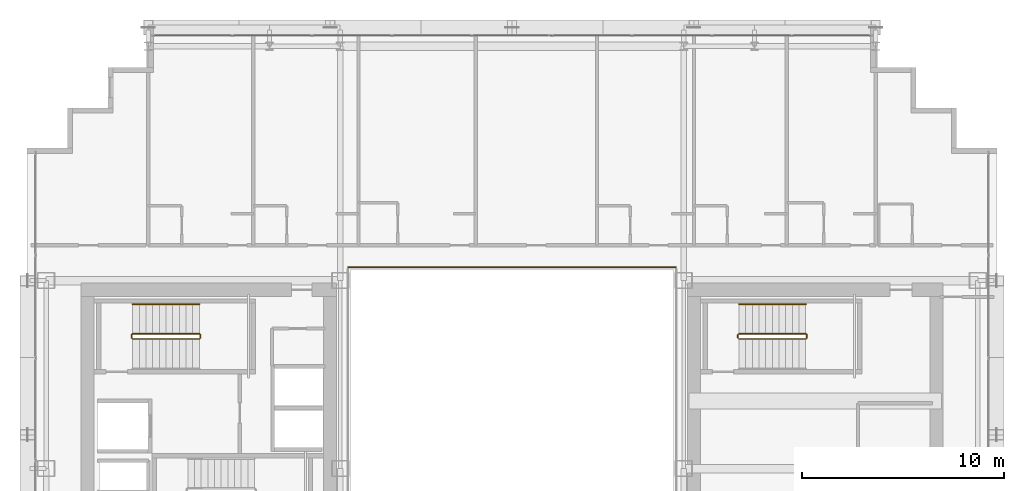
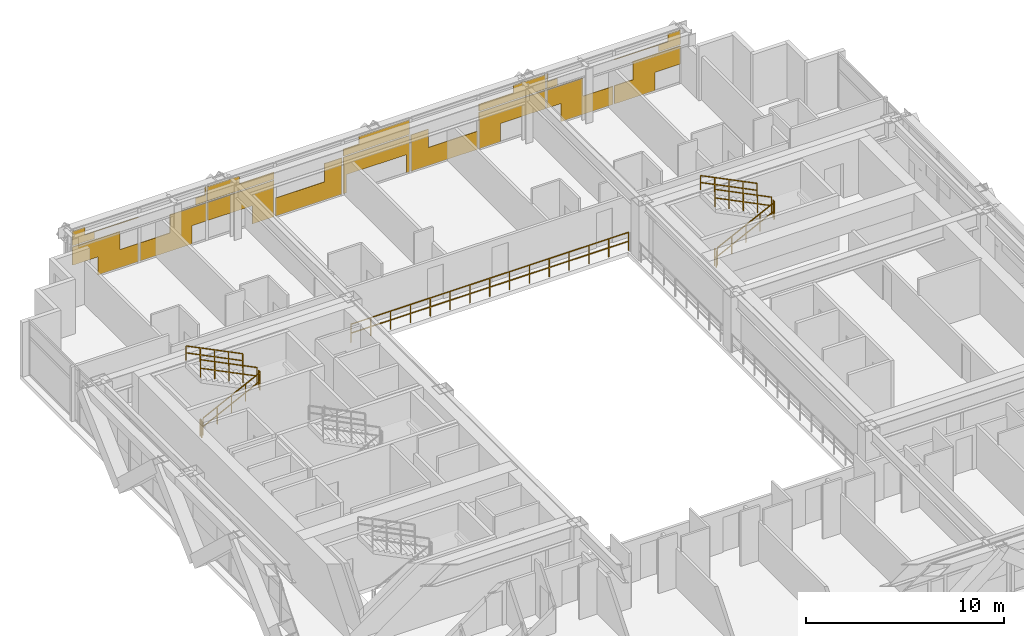
# One storey, part 35 of 35: 11 railings, 1 covering.
"""IFC4 building model written with IfcOpenShell, lengths in metres."""

import ifcopenshell
import ifcopenshell.guid

model = None  # the IFC model being written
_history = None  # IfcOwnerHistory: only IFC2X3 demands one
_inside = {}  # id of a spatial element -> (the spatial element, [elements in it])
_under = {}  # id of a project, library or spatial element -> (it, [spatial elements below it])
_declared = {}  # id of a project -> (the project, [libraries it declares])
_typed = {}  # id of a type object -> (the type object, [elements of that type])
_made_of = {}  # id of a material, layer set ... -> (it, [elements and type objects made of it])


def new_model(schema):
    """Start an empty IFC model of exactly this schema.

    Asked for "IFC4X3", IfcOpenShell would pick the latest addendum, in which some entities
    have other attributes; the version numbers below select the first issue.
    IFC2X3 requires an IfcOwnerHistory on every rooted entity: one is made here for all.
    """
    global model, _history
    if schema == "IFC4X3":
        model = ifcopenshell.file(schema_version=(4, 3, 0, 0))
    else:
        model = ifcopenshell.file(schema=schema)
    _inside.clear()
    _under.clear()
    _declared.clear()
    _typed.clear()
    _made_of.clear()
    _history = None
    if model.schema == "IFC2X3":
        org = make("IfcOrganization", Name="unknown")
        user = make(
            "IfcPersonAndOrganization",
            ThePerson=make("IfcPerson", FamilyName="unknown"),
            TheOrganization=org,
        )
        app = make(
            "IfcApplication",
            ApplicationDeveloper=org,
            Version="unknown",
            ApplicationFullName="unknown",
            ApplicationIdentifier="unknown",
        )
        _history = make(
            "IfcOwnerHistory",
            OwningUser=user,
            OwningApplication=app,
            ChangeAction="ADDED",
            CreationDate=0,
        )
    return model


def make(cls, **values):
    """One entity of the class cls with the attributes given. An attribute that is None is left unset."""
    return model.create_entity(
        cls, **{name: value for name, value in values.items() if value is not None}
    )


def rooted(cls, **values):
    """An entity with a GlobalId (a new one), such as an element, a storey or a relation."""
    return make(cls, GlobalId=ifcopenshell.guid.new(), OwnerHistory=_history, **values)


def si_unit(unit_type, name, prefix=None):
    """IfcSIUnit, for example si_unit("LENGTHUNIT", "METRE", prefix="MILLI")."""
    return make("IfcSIUnit", UnitType=unit_type, Prefix=prefix, Name=name)


def assignment(units):
    """IfcUnitAssignment: the units of a project."""
    return None if units is None else make("IfcUnitAssignment", Units=units)


def point(xyz):
    """IfcCartesianPoint."""
    return None if xyz is None else make("IfcCartesianPoint", Coordinates=xyz)


def direction(xyz):
    """IfcDirection."""
    return None if xyz is None else make("IfcDirection", DirectionRatios=xyz)


def frame(location, z_axis=None, x_axis=None):
    """IfcAxis2Placement3D, a coordinate frame: its origin and axes. An axis left out is left unset."""
    return make(
        "IfcAxis2Placement3D",
        Location=point(location),
        Axis=direction(z_axis),
        RefDirection=direction(x_axis),
    )


def frame_2d(location, x_axis=None):
    """IfcAxis2Placement2D, a coordinate frame in the plane: its origin and x axis."""
    return make(
        "IfcAxis2Placement2D", Location=point(location), RefDirection=direction(x_axis)
    )


def origin():
    """The frame at (0, 0, 0) with its axes left unset."""
    return frame((0.0, 0.0, 0.0))


def origin_2d():
    """The frame at (0, 0) in the plane with its x axis left unset."""
    return frame_2d((0.0, 0.0))


def place(relative_to, where):
    """IfcLocalPlacement: puts the frame where relative to a parent placement (None: the world)."""
    return make(
        "IfcLocalPlacement", PlacementRelTo=relative_to, RelativePlacement=where
    )


def context(
    kind, dimensions, precision=None, world=None, true_north=None, identifier=None
):
    """IfcGeometricRepresentationContext, for example the 3D "Model" context."""
    return make(
        "IfcGeometricRepresentationContext",
        ContextIdentifier=identifier,
        ContextType=kind,
        CoordinateSpaceDimension=dimensions,
        Precision=precision,
        WorldCoordinateSystem=world,
        TrueNorth=true_north,
    )


def subcontext(parent, identifier, kind, view, scale=None):
    """IfcGeometricRepresentationSubContext, for example "Body" below "Model"."""
    return make(
        "IfcGeometricRepresentationSubContext",
        ContextIdentifier=identifier,
        ContextType=kind,
        ParentContext=parent,
        TargetScale=scale,
        TargetView=view,
    )


def project(units=None, contexts=None):
    """IfcProject with its units and contexts."""
    return rooted(
        "IfcProject",
        Name="project",
        RepresentationContexts=contexts,
        UnitsInContext=assignment(units),
    )


def spatial(cls, under=None, at=None, **own):
    """A site, building, storey or space (cls), placed at a placement, below another one or the project."""
    s = rooted(cls, ObjectPlacement=at, **own)
    if under is not None:
        _under.setdefault(under.id(), (under, []))[1].append(s)
    return s


def profile(cls, at=None, kind="AREA", **sizes):
    """A parametric profile (cls). Its sizes go by their IFC names, for example OverallWidth=200.0."""
    return make(cls, ProfileType=kind, Position=at, **sizes)


def rectangle(**sizes):
    """IfcRectangleProfileDef."""
    return profile("IfcRectangleProfileDef", **sizes)


def extrude(swept, where, along, depth):
    """IfcExtrudedAreaSolid: the profile swept, set in the frame where, extruded along a direction by depth."""
    return make(
        "IfcExtrudedAreaSolid",
        SweptArea=swept,
        Position=where,
        ExtrudedDirection=direction(along),
        Depth=depth,
    )


def shape(context_of_items, identifier, shape_type, items):
    """IfcShapeRepresentation: the items that make up one representation, for example the "Body"."""
    return make(
        "IfcShapeRepresentation",
        ContextOfItems=context_of_items,
        RepresentationIdentifier=identifier,
        RepresentationType=shape_type,
        Items=items,
    )


def material(Name=None, Category=None):
    """IfcMaterial."""
    return make("IfcMaterial", Name=Name, Category=Category)


def layer(
    of_material, thickness, ventilated=None, Name=None, Category=None, Priority=None
):
    """IfcMaterialLayer: one layer of a wall or slab, of a material (None: an air gap)."""
    return make(
        "IfcMaterialLayer",
        Material=of_material,
        LayerThickness=thickness,
        IsVentilated=ventilated,
        Name=Name,
        Category=Category,
        Priority=Priority,
    )


def layer_set(layers, Name=None):
    """IfcMaterialLayerSet."""
    return make("IfcMaterialLayerSet", MaterialLayers=layers, LayerSetName=Name)


def made_of(thing, what):
    """Note that an element or type object is made of a material, layer set ...; save() writes the relation."""
    if what is not None:
        _made_of.setdefault(what.id(), (what, []))[1].append(thing)
    return thing


def type_object(cls, material=None, **own):
    """A type object (cls), such as IfcWallType, which elements share."""
    return made_of(rooted(cls, **own), material)


def element(
    cls,
    number,
    at=None,
    inside=None,
    cuts=None,
    type_object=None,
    material=None,
    context=None,
    identifier="Body",
    shape_type=None,
    held_by="IfcProductDefinitionShape",
    body=None,
    shapes=None,
    **own,
):
    """One element of the class cls, such as IfcWall. Its Tag is "e" and its number.

    at: its placement. inside: the storey or other place that contains it. cuts: it is an
    opening in that element (IfcRelVoidsElement). A single representation is given by context,
    identifier, shape_type and body (its items); several are given by shapes. held_by: the class
    of the entity that holds the representations. save() writes the other relations.
    """
    e = rooted(cls, Tag="e%d" % number, ObjectPlacement=at, **own)
    if body is not None:
        shapes = [shape(context, identifier, shape_type, body)]
    if shapes is not None:
        e.Representation = make(held_by, Representations=shapes)
    if inside is not None:
        _inside.setdefault(inside.id(), (inside, []))[1].append(e)
    if cuts is not None:
        rooted(
            "IfcRelVoidsElement", RelatingBuildingElement=cuts, RelatedOpeningElement=e
        )
    if type_object is not None:
        _typed.setdefault(type_object.id(), (type_object, []))[1].append(e)
    return made_of(e, material)


def aggregate(whole, parts):
    """IfcRelAggregates: a whole, such as a stair, and the parts it consists of."""
    return rooted("IfcRelAggregates", RelatingObject=whole, RelatedObjects=parts)


def save(model, path):
    """Write the relations noted so far, then the file.

    IfcRelAggregates (storeys below a building ...), IfcRelContainedInSpatialStructure (elements
    in a storey), IfcRelDefinesByType, IfcRelAssociatesMaterial and IfcRelDeclares: one each for
    every whole, place, type object, material and project.
    """
    for whole, parts in _under.values():
        aggregate(whole, parts)
    for where, things in _inside.values():
        rooted(
            "IfcRelContainedInSpatialStructure",
            RelatedElements=things,
            RelatingStructure=where,
        )
    for kind, things in _typed.values():
        rooted("IfcRelDefinesByType", RelatedObjects=things, RelatingType=kind)
    for what, things in _made_of.values():
        rooted("IfcRelAssociatesMaterial", RelatedObjects=things, RelatingMaterial=what)
    for by, libraries in _declared.values():
        rooted("IfcRelDeclares", RelatingContext=by, RelatedDefinitions=libraries)
    model.write(path)


model = new_model("IFC4")

# Units and contexts
model_context = context("Model", 3, precision=1e-05, world=origin(), true_north=direction((0.0, 1.0)))
body_context = subcontext(model_context, "Body", "Model", "MODEL_VIEW")
ifc_project = project(units=[si_unit("LENGTHUNIT", "METRE"), si_unit("AREAUNIT", "SQUARE_METRE"), si_unit("VOLUMEUNIT", "CUBIC_METRE"), si_unit("PLANEANGLEUNIT", "RADIAN"), si_unit("MASSUNIT", "GRAM", prefix="KILO")], contexts=[model_context])

# Site, building, storey
site_placement = place(None, origin())
site = spatial("IfcSite", under=ifc_project, at=site_placement, CompositionType="ELEMENT")
building_placement = place(site_placement, origin())
building = spatial("IfcBuilding", under=site, at=building_placement, Name="Ocotamira Hotel", CompositionType="ELEMENT")
storey_placement = place(building_placement, frame((0.0, 0.0, 100.800048828125)))
storey = spatial("IfcBuildingStorey", under=building, at=storey_placement, Name="L24", CompositionType="ELEMENT", Elevation=100.800048828125)

# Covering
ifc_material_1 = material(Name="Insulated pale-metal aluminium spandrel panel", Category="aluminium")
ifc_layer = layer(ifc_material_1, 0.044921875)
ifc_layer_set = layer_set([ifc_layer], Name="Insulated pale-metal aluminium spandrel panel")
covering_type = type_object("IfcCoveringType", Name="COV-INFILL-45", PredefinedType="CLADDING", material=ifc_layer_set)
covering_placement = place(storey_placement, origin())
element("IfcCovering", 1, at=covering_placement, inside=storey, type_object=covering_type, Name="L24 Curtain Wall Infill CW-3 CW-L24-N", PredefinedType="CLADDING", context=body_context, shape_type="SweptSolid", body=[
    extrude(rectangle(XDim=2.754638671875, YDim=0.044921875, at=origin_2d()), frame((15.65771484375, 49.580078125, 1.194091796875), z_axis=(0.0, 0.0, 1.0), x_axis=(1.0, 0.0, 0.0)), (0.0, 0.0, 1.0), 1.11767578125),
    extrude(rectangle(XDim=2.359619140625, YDim=0.044921875, at=origin_2d()), frame((16.935302734375, 49.580078125, 0.0751953125), z_axis=(0.0, 0.0, 1.0), x_axis=(1.0, 0.0, 0.0)), (0.0, 0.0, 1.0), 1.117919921875),
    extrude(rectangle(XDim=1.262451171875, YDim=0.044921875, at=origin_2d()), frame((14.91162109375, 49.580078125, 2.387939453125), z_axis=(0.0, 0.0, 1.0), x_axis=(1.0, 0.0, 0.0)), (0.0, 0.0, 1.0), 0.3935546875),
    extrude(rectangle(XDim=3.834716796875, YDim=0.044921875, at=origin_2d()), frame((16.19775390625, 49.580078125, 2.782470703125), z_axis=(0.0, 0.0, 1.0), x_axis=(1.0, 0.0, 0.0)), (0.0, 0.0, 1.0), 0.0302734375),
    extrude(rectangle(XDim=0.730224609375, YDim=0.044921875, at=origin_2d()), frame((14.6455078125, 49.580078125, 2.813720703125), z_axis=(0.0, 0.0, 1.0), x_axis=(1.0, 0.0, 0.0)), (0.0, 0.0, 1.0), 0.470703125),
    extrude(rectangle(XDim=3.04833984375, YDim=0.044921875, at=origin_2d()), frame((19.72021484375, 49.580078125, 0.0751953125), z_axis=(0.0, 0.0, 1.0), x_axis=(1.0, 0.0, 0.0)), (0.0, 0.0, 1.0), 1.117919921875),
    extrude(rectangle(XDim=2.105712890625, YDim=0.044921875, at=origin_2d()), frame((21.017578125, 49.580078125, 1.194091796875), z_axis=(0.0, 0.0, 1.0), x_axis=(1.0, 0.0, 0.0)), (0.0, 0.0, 1.0), 1.11767578125),
    extrude(rectangle(XDim=0.613525390625, YDim=0.044921875, at=origin_2d()), frame((21.763916015625, 49.580078125, 2.387939453125), z_axis=(0.0, 0.0, 1.0), x_axis=(1.0, 0.0, 0.0)), (0.0, 0.0, 1.0), 0.4248046875),
    extrude(rectangle(XDim=0.081298828125, YDim=0.044921875, at=origin_2d()), frame((22.02978515625, 49.580078125, 2.813720703125), z_axis=(0.0, 0.0, 1.0), x_axis=(1.0, 0.0, 0.0)), (0.0, 0.0, 1.0), 0.470703125),
    extrude(rectangle(XDim=3.87451171875, YDim=0.044921875, at=origin_2d()), frame((24.0888671875, 49.580078125, 1.194091796875), z_axis=(0.0, 0.0, 1.0), x_axis=(1.0, 0.0, 0.0)), (0.0, 0.0, 1.0), 1.11767578125),
    extrude(rectangle(XDim=1.270751953125, YDim=0.044921875, at=origin_2d()), frame((25.390869140625, 49.580078125, 0.0751953125), z_axis=(0.0, 0.0, 1.0), x_axis=(1.0, 0.0, 0.0)), (0.0, 0.0, 1.0), 1.117919921875),
    extrude(rectangle(XDim=3.87451171875, YDim=0.044921875, at=origin_2d()), frame((24.0888671875, 49.580078125, 2.387939453125), z_axis=(0.0, 0.0, 1.0), x_axis=(1.0, 0.0, 0.0)), (0.0, 0.0, 1.0), 0.4248046875),
    extrude(rectangle(XDim=1.859130859375, YDim=0.044921875, at=origin_2d()), frame((23.081298828125, 49.580078125, 2.813720703125), z_axis=(0.0, 0.0, 1.0), x_axis=(1.0, 0.0, 0.0)), (0.0, 0.0, 1.0), 0.470703125),
    extrude(rectangle(XDim=3.87451171875, YDim=0.044921875, at=origin_2d()), frame((28.04443359375, 49.580078125, 0.0751953125), z_axis=(0.0, 0.0, 1.0), x_axis=(1.0, 0.0, 0.0)), (0.0, 0.0, 1.0), 1.117919921875),
    extrude(rectangle(XDim=1.016845703125, YDim=0.044921875, at=origin_2d()), frame((29.473388671875, 49.580078125, 1.194091796875), z_axis=(0.0, 0.0, 1.0), x_axis=(1.0, 0.0, 0.0)), (0.0, 0.0, 1.0), 1.11767578125),
    extrude(rectangle(XDim=0.181884765625, YDim=0.044921875, at=origin_2d()), frame((30.153564453125, 49.580078125, 0.0751953125), z_axis=(0.0, 0.0, 1.0), x_axis=(1.0, 0.0, 0.0)), (0.0, 0.0, 1.0), 1.117919921875),
    extrude(rectangle(XDim=3.87451171875, YDim=0.044921875, at=origin_2d()), frame((32.0, 49.580078125, 1.194091796875), z_axis=(0.0, 0.0, 1.0), x_axis=(1.0, 0.0, 0.0)), (0.0, 0.0, 1.0), 1.11767578125),
    extrude(rectangle(XDim=0.181884765625, YDim=0.044921875, at=origin_2d()), frame((33.846435546875, 49.580078125, 0.0751953125), z_axis=(0.0, 0.0, 1.0), x_axis=(1.0, 0.0, 0.0)), (0.0, 0.0, 1.0), 1.117919921875),
    extrude(rectangle(XDim=3.87451171875, YDim=0.044921875, at=origin_2d()), frame((32.0, 49.580078125, 2.387939453125), z_axis=(0.0, 0.0, 1.0), x_axis=(1.0, 0.0, 0.0)), (0.0, 0.0, 1.0), 0.4248046875),
    extrude(rectangle(XDim=2.947998046875, YDim=0.044921875, at=origin_2d()), frame((32.46337890625, 49.580078125, 2.813720703125), z_axis=(0.0, 0.0, 1.0), x_axis=(1.0, 0.0, 0.0)), (0.0, 0.0, 1.0), 0.470703125),
    extrude(rectangle(XDim=3.87451171875, YDim=0.044921875, at=origin_2d()), frame((35.95556640625, 49.580078125, 0.0751953125), z_axis=(0.0, 0.0, 1.0), x_axis=(1.0, 0.0, 0.0)), (0.0, 0.0, 1.0), 1.117919921875),
    extrude(rectangle(XDim=1.016845703125, YDim=0.044921875, at=origin_2d()), frame((34.526611328125, 49.580078125, 1.194091796875), z_axis=(0.0, 0.0, 1.0), x_axis=(1.0, 0.0, 0.0)), (0.0, 0.0, 1.0), 1.11767578125),
    extrude(rectangle(XDim=1.270751953125, YDim=0.044921875, at=origin_2d()), frame((38.609130859375, 49.580078125, 0.0751953125), z_axis=(0.0, 0.0, 1.0), x_axis=(1.0, 0.0, 0.0)), (0.0, 0.0, 1.0), 1.117919921875),
    extrude(rectangle(XDim=3.87451171875, YDim=0.044921875, at=origin_2d()), frame((39.9111328125, 49.580078125, 1.194091796875), z_axis=(0.0, 0.0, 1.0), x_axis=(1.0, 0.0, 0.0)), (0.0, 0.0, 1.0), 1.11767578125),
    extrude(rectangle(XDim=3.87451171875, YDim=0.044921875, at=origin_2d()), frame((39.9111328125, 49.580078125, 2.387939453125), z_axis=(0.0, 0.0, 1.0), x_axis=(1.0, 0.0, 0.0)), (0.0, 0.0, 1.0), 0.4248046875),
    extrude(rectangle(XDim=1.859130859375, YDim=0.044921875, at=origin_2d()), frame((40.918701171875, 49.580078125, 2.813720703125), z_axis=(0.0, 0.0, 1.0), x_axis=(1.0, 0.0, 0.0)), (0.0, 0.0, 1.0), 0.470703125),
    extrude(rectangle(XDim=2.105712890625, YDim=0.044921875, at=origin_2d()), frame((42.982421875, 49.580078125, 1.194091796875), z_axis=(0.0, 0.0, 1.0), x_axis=(1.0, 0.0, 0.0)), (0.0, 0.0, 1.0), 1.11767578125),
    extrude(rectangle(XDim=3.04833984375, YDim=0.044921875, at=origin_2d()), frame((44.27978515625, 49.580078125, 0.0751953125), z_axis=(0.0, 0.0, 1.0), x_axis=(1.0, 0.0, 0.0)), (0.0, 0.0, 1.0), 1.117919921875),
    extrude(rectangle(XDim=0.613525390625, YDim=0.044921875, at=origin_2d()), frame((42.236083984375, 49.580078125, 2.387939453125), z_axis=(0.0, 0.0, 1.0), x_axis=(1.0, 0.0, 0.0)), (0.0, 0.0, 1.0), 0.4248046875),
    extrude(rectangle(XDim=0.081298828125, YDim=0.044921875, at=origin_2d()), frame((41.97021484375, 49.580078125, 2.813720703125), z_axis=(0.0, 0.0, 1.0), x_axis=(1.0, 0.0, 0.0)), (0.0, 0.0, 1.0), 0.470703125),
    extrude(rectangle(XDim=2.359619140625, YDim=0.044921875, at=origin_2d()), frame((47.064697265625, 49.580078125, 0.0751953125), z_axis=(0.0, 0.0, 1.0), x_axis=(1.0, 0.0, 0.0)), (0.0, 0.0, 1.0), 1.117919921875),
    extrude(rectangle(XDim=2.754638671875, YDim=0.044921875, at=origin_2d()), frame((48.34228515625, 49.580078125, 1.194091796875), z_axis=(0.0, 0.0, 1.0), x_axis=(1.0, 0.0, 0.0)), (0.0, 0.0, 1.0), 1.11767578125),
    extrude(rectangle(XDim=3.834716796875, YDim=0.044921875, at=origin_2d()), frame((47.80224609375, 49.580078125, 2.782470703125), z_axis=(0.0, 0.0, 1.0), x_axis=(1.0, 0.0, 0.0)), (0.0, 0.0, 1.0), 0.0302734375),
    extrude(rectangle(XDim=1.262451171875, YDim=0.044921875, at=origin_2d()), frame((49.08837890625, 49.580078125, 2.387939453125), z_axis=(0.0, 0.0, 1.0), x_axis=(1.0, 0.0, 0.0)), (0.0, 0.0, 1.0), 0.3935546875),
    extrude(rectangle(XDim=0.730224609375, YDim=0.044921875, at=origin_2d()), frame((49.3544921875, 49.580078125, 2.813720703125), z_axis=(0.0, 0.0, 1.0), x_axis=(1.0, 0.0, 0.0)), (0.0, 0.0, 1.0), 0.470703125),
])

# Railings
ifc_material_2 = material(Name="Painted steel stair guardrail", Category="steel")
railing_type_1 = type_object("IfcRailingType", Name="RL-EDGE-1150", PredefinedType="GUARDRAIL", material=ifc_material_2)
railing_1_placement = place(storey_placement, frame((40.10009765625, 38.1201171875, 0.0)))
element("IfcRailing", 2, at=railing_1_placement, inside=storey, type_object=railing_type_1, Name="L24 Central Atrium Edge Guardrail N", PredefinedType="GUARDRAIL", context=body_context, shape_type="SweptSolid", body=[
    extrude(rectangle(XDim=0.048095703125, YDim=0.048095703125, at=origin_2d()), frame((0.0, 0.0, 1.1259765625), z_axis=(-1.0, 0.0, 0.0), x_axis=(0.0, -1.0, 0.0)), (0.0, 0.0, 1.0), 16.2001953125),
    extrude(rectangle(XDim=0.048095703125, YDim=0.048095703125, at=origin_2d()), frame((0.0, 0.0, 0.574951171875), z_axis=(-1.0, 0.0, 0.0), x_axis=(0.0, -1.0, 0.0)), (0.0, 0.0, 1.0), 16.2001953125),
    extrude(rectangle(XDim=0.0419921875, YDim=0.0419921875, at=origin_2d()), origin(), (0.0, 0.0, 1.0), 1.101806640625),
    extrude(rectangle(XDim=0.0419921875, YDim=0.0419921875, at=origin_2d()), frame((-1.1572265625, 0.0, 0.0)), (0.0, 0.0, 1.0), 1.101806640625),
    extrude(rectangle(XDim=0.0419921875, YDim=0.0419921875, at=origin_2d()), frame((-2.314208984375, 0.0, 0.0)), (0.0, 0.0, 1.0), 1.101806640625),
    extrude(rectangle(XDim=0.0419921875, YDim=0.0419921875, at=origin_2d()), frame((-3.471435546875, 0.0, 0.0)), (0.0, 0.0, 1.0), 1.101806640625),
    extrude(rectangle(XDim=0.0419921875, YDim=0.0419921875, at=origin_2d()), frame((-4.628662109375, 0.0, 0.0)), (0.0, 0.0, 1.0), 1.101806640625),
    extrude(rectangle(XDim=0.0419921875, YDim=0.0419921875, at=origin_2d()), frame((-5.785888671875, 0.0, 0.0)), (0.0, 0.0, 1.0), 1.101806640625),
    extrude(rectangle(XDim=0.0419921875, YDim=0.0419921875, at=origin_2d()), frame((-6.94287109375, 0.0, 0.0)), (0.0, 0.0, 1.0), 1.101806640625),
    extrude(rectangle(XDim=0.0419921875, YDim=0.0419921875, at=origin_2d()), frame((-8.10009765625, 0.0, 0.0)), (0.0, 0.0, 1.0), 1.101806640625),
    extrude(rectangle(XDim=0.0419921875, YDim=0.0419921875, at=origin_2d()), frame((-9.25732421875, 0.0, 0.0)), (0.0, 0.0, 1.0), 1.101806640625),
    extrude(rectangle(XDim=0.0419921875, YDim=0.0419921875, at=origin_2d()), frame((-10.414306640625, 0.0, 0.0)), (0.0, 0.0, 1.0), 1.101806640625),
    extrude(rectangle(XDim=0.0419921875, YDim=0.0419921875, at=origin_2d()), frame((-11.571533203125, 0.0, 0.0)), (0.0, 0.0, 1.0), 1.101806640625),
    extrude(rectangle(XDim=0.0419921875, YDim=0.0419921875, at=origin_2d()), frame((-12.728759765625, 0.0, 0.0)), (0.0, 0.0, 1.0), 1.101806640625),
    extrude(rectangle(XDim=0.0419921875, YDim=0.0419921875, at=origin_2d()), frame((-13.885986328125, 0.0, 0.0)), (0.0, 0.0, 1.0), 1.101806640625),
    extrude(rectangle(XDim=0.0419921875, YDim=0.0419921875, at=origin_2d()), frame((-15.04296875, 0.0, 0.0)), (0.0, 0.0, 1.0), 1.101806640625),
    extrude(rectangle(XDim=0.0419921875, YDim=0.0419921875, at=origin_2d()), frame((-16.2001953125, 0.0, 0.0)), (0.0, 0.0, 1.0), 1.101806640625),
])
ifc_material_3 = material(Name="Brushed stainless steel handrail", Category="steel")
railing_type_2 = type_object("IfcRailingType", Name="RL-HAND-900", PredefinedType="HANDRAIL", material=ifc_material_3)
for number, where, name in (
    (3, (16.530029296875, 36.280029296875, 2.127197265625), "L24 ST-2 stair handrail 2"),
    (4, (46.530029296875, 36.280029296875, 2.127197265625), "L24 ST-4 stair handrail 2"),
):
    element("IfcRailing", number, at=place(storey_placement, frame(where)), inside=storey, type_object=railing_type_2, Name=name, PredefinedType="HANDRAIL", context=body_context, shape_type="SweptSolid", body=[
        extrude(rectangle(XDim=0.048095703125, YDim=0.048095703125, at=origin_2d()), frame((0.0, 0.0, 0.8759765625), z_axis=(-0.895893744519, 0.0, 0.4442683857), x_axis=(0.0, -1.0, 0.0)), (0.0, 0.0, 1.0), 3.68359375),
        extrude(rectangle(XDim=0.048095703125, YDim=0.048095703125, at=origin_2d()), frame((0.0, 0.0, 0.449951171875), z_axis=(-0.895893744519, 0.0, 0.4442683857), x_axis=(0.0, -1.0, 0.0)), (0.0, 0.0, 1.0), 3.68359375),
        extrude(rectangle(XDim=0.0419921875, YDim=0.0419921875, at=origin_2d()), origin(), (0.0, 0.0, 1.0), 0.851806640625),
        extrude(rectangle(XDim=0.0419921875, YDim=0.0419921875, at=origin_2d()), frame((-0.824951171875, 0.0, 0.4091796875)), (0.0, 0.0, 1.0), 0.851806640625),
        extrude(rectangle(XDim=0.0419921875, YDim=0.0419921875, at=origin_2d()), frame((-1.64990234375, 0.0, 0.818359375)), (0.0, 0.0, 1.0), 0.851806640625),
        extrude(rectangle(XDim=0.0419921875, YDim=0.0419921875, at=origin_2d()), frame((-2.47509765625, 0.0, 1.227294921875)), (0.0, 0.0, 1.0), 0.851806640625),
        extrude(rectangle(XDim=0.0419921875, YDim=0.0419921875, at=origin_2d()), frame((-3.300048828125, 0.0, 1.636474609375)), (0.0, 0.0, 1.0), 0.851806640625),
    ])
railing_type_3 = type_object("IfcRailingType", Name="RL-STAIR-1100", PredefinedType="GUARDRAIL", material=ifc_material_2)
railing_2_placement = place(storey_placement, frame((13.22998046875, 34.56005859375, 0.16357421875)))
element("IfcRailing", 5, at=railing_2_placement, inside=storey, type_object=railing_type_3, Name="L24 ST-2 stair guard 1", PredefinedType="GUARDRAIL", context=body_context, shape_type="SweptSolid", body=[
    extrude(rectangle(XDim=0.048095703125, YDim=0.048095703125, at=origin_2d()), frame((0.0, 0.0, 1.076171875), z_axis=(0.895893744519, 0.0, 0.4442683857), x_axis=(0.0, 1.0, 0.0)), (0.0, 0.0, 1.0), 3.68359375),
    extrude(rectangle(XDim=0.048095703125, YDim=0.048095703125, at=origin_2d()), frame((0.0, 0.0, 0.550048828125), z_axis=(0.895893744519, 0.0, 0.4442683857), x_axis=(0.0, 1.0, 0.0)), (0.0, 0.0, 1.0), 3.68359375),
    extrude(rectangle(XDim=0.0419921875, YDim=0.0419921875, at=origin_2d()), origin(), (0.0, 0.0, 1.0), 1.052001953125),
    extrude(rectangle(XDim=0.0419921875, YDim=0.0419921875, at=origin_2d()), frame((0.824951171875, 0.0, 0.4091796875)), (0.0, 0.0, 1.0), 1.052001953125),
    extrude(rectangle(XDim=0.0419921875, YDim=0.0419921875, at=origin_2d()), frame((1.64990234375, 0.0, 0.818359375)), (0.0, 0.0, 1.0), 1.052001953125),
    extrude(rectangle(XDim=0.0419921875, YDim=0.0419921875, at=origin_2d()), frame((2.47509765625, 0.0, 1.227294921875)), (0.0, 0.0, 1.0), 1.052001953125),
    extrude(rectangle(XDim=0.0419921875, YDim=0.0419921875, at=origin_2d()), frame((3.300048828125, 0.0, 1.636474609375)), (0.0, 0.0, 1.0), 1.052001953125),
])
railing_3_placement = place(storey_placement, frame((16.580078125, 34.610107421875, 1.800048828125)))
element("IfcRailing", 6, at=railing_3_placement, inside=storey, type_object=railing_type_3, Name="L24 ST-2 stair guard 2", PredefinedType="GUARDRAIL", context=body_context, shape_type="SweptSolid", body=[
    extrude(rectangle(XDim=0.048095703125, YDim=0.048095703125, at=origin_2d()), frame((0.0, 0.0, 1.076171875), z_axis=(0.0, 1.0, 0.0), x_axis=(-1.0, 0.0, 0.0)), (0.0, 0.0, 1.0), 0.159912109375),
    extrude(rectangle(XDim=0.048095703125, YDim=0.048095703125, at=origin_2d()), frame((0.0, 0.0, 0.550048828125), z_axis=(0.0, 1.0, 0.0), x_axis=(-1.0, 0.0, 0.0)), (0.0, 0.0, 1.0), 0.159912109375),
    extrude(rectangle(XDim=0.0419921875, YDim=0.0419921875, at=origin_2d()), origin(), (0.0, 0.0, 1.0), 1.052001953125),
    extrude(rectangle(XDim=0.0419921875, YDim=0.0419921875, at=origin_2d()), frame((0.0, 0.159912109375, 0.0)), (0.0, 0.0, 1.0), 1.052001953125),
])
railing_4_placement = place(storey_placement, frame((16.530029296875, 34.820068359375, 1.963623046875)))
element("IfcRailing", 7, at=railing_4_placement, inside=storey, type_object=railing_type_3, Name="L24 ST-2 stair guard 3", PredefinedType="GUARDRAIL", context=body_context, shape_type="SweptSolid", body=[
    extrude(rectangle(XDim=0.048095703125, YDim=0.048095703125, at=origin_2d()), frame((0.0, 0.0, 1.076171875), z_axis=(-0.895920123917, 0.0, 0.444215186098), x_axis=(0.0, -1.0, 0.0)), (0.0, 0.0, 1.0), 3.683349609375),
    extrude(rectangle(XDim=0.048095703125, YDim=0.048095703125, at=origin_2d()), frame((0.0, 0.0, 0.550048828125), z_axis=(-0.895920123917, 0.0, 0.444215186098), x_axis=(0.0, -1.0, 0.0)), (0.0, 0.0, 1.0), 3.683349609375),
    extrude(rectangle(XDim=0.0419921875, YDim=0.0419921875, at=origin_2d()), origin(), (0.0, 0.0, 1.0), 1.052001953125),
    extrude(rectangle(XDim=0.0419921875, YDim=0.0419921875, at=origin_2d()), frame((-0.824951171875, 0.0, 0.4091796875)), (0.0, 0.0, 1.0), 1.052001953125),
    extrude(rectangle(XDim=0.0419921875, YDim=0.0419921875, at=origin_2d()), frame((-1.64990234375, 0.0, 0.818115234375)), (0.0, 0.0, 1.0), 1.052001953125),
    extrude(rectangle(XDim=0.0419921875, YDim=0.0419921875, at=origin_2d()), frame((-2.47509765625, 0.0, 1.22705078125)), (0.0, 0.0, 1.0), 1.052001953125),
    extrude(rectangle(XDim=0.0419921875, YDim=0.0419921875, at=origin_2d()), frame((-3.300048828125, 0.0, 1.63623046875)), (0.0, 0.0, 1.0), 1.052001953125),
])
railing_5_placement = place(storey_placement, frame((13.179931640625, 34.610107421875, 0.0)))
element("IfcRailing", 8, at=railing_5_placement, inside=storey, type_object=railing_type_3, Name="L24 ST-2 stair guard 4", PredefinedType="GUARDRAIL", context=body_context, shape_type="SweptSolid", body=[
    extrude(rectangle(XDim=0.048095703125, YDim=0.048095703125, at=origin_2d()), frame((0.0, 0.0, 1.076171875), z_axis=(0.0, 1.0, 0.0), x_axis=(-1.0, 0.0, 0.0)), (0.0, 0.0, 1.0), 0.159912109375),
    extrude(rectangle(XDim=0.048095703125, YDim=0.048095703125, at=origin_2d()), frame((0.0, 0.0, 0.550048828125), z_axis=(0.0, 1.0, 0.0), x_axis=(-1.0, 0.0, 0.0)), (0.0, 0.0, 1.0), 0.159912109375),
    extrude(rectangle(XDim=0.0419921875, YDim=0.0419921875, at=origin_2d()), origin(), (0.0, 0.0, 1.0), 1.052001953125),
    extrude(rectangle(XDim=0.0419921875, YDim=0.0419921875, at=origin_2d()), frame((0.0, 0.159912109375, 0.0)), (0.0, 0.0, 1.0), 1.052001953125),
])
railing_6_placement = place(storey_placement, frame((43.22998046875, 34.56005859375, 0.16357421875)))
element("IfcRailing", 9, at=railing_6_placement, inside=storey, type_object=railing_type_3, Name="L24 ST-4 stair guard 1", PredefinedType="GUARDRAIL", context=body_context, shape_type="SweptSolid", body=[
    extrude(rectangle(XDim=0.048095703125, YDim=0.048095703125, at=origin_2d()), frame((0.0, 0.0, 1.076171875), z_axis=(0.895893744519, 0.0, 0.4442683857), x_axis=(0.0, 1.0, 0.0)), (0.0, 0.0, 1.0), 3.68359375),
    extrude(rectangle(XDim=0.048095703125, YDim=0.048095703125, at=origin_2d()), frame((0.0, 0.0, 0.550048828125), z_axis=(0.895893744519, 0.0, 0.4442683857), x_axis=(0.0, 1.0, 0.0)), (0.0, 0.0, 1.0), 3.68359375),
    extrude(rectangle(XDim=0.0419921875, YDim=0.0419921875, at=origin_2d()), origin(), (0.0, 0.0, 1.0), 1.052001953125),
    extrude(rectangle(XDim=0.0419921875, YDim=0.0419921875, at=origin_2d()), frame((0.824951171875, 0.0, 0.4091796875)), (0.0, 0.0, 1.0), 1.052001953125),
    extrude(rectangle(XDim=0.0419921875, YDim=0.0419921875, at=origin_2d()), frame((1.64990234375, 0.0, 0.818359375)), (0.0, 0.0, 1.0), 1.052001953125),
    extrude(rectangle(XDim=0.0419921875, YDim=0.0419921875, at=origin_2d()), frame((2.47509765625, 0.0, 1.227294921875)), (0.0, 0.0, 1.0), 1.052001953125),
    extrude(rectangle(XDim=0.0419921875, YDim=0.0419921875, at=origin_2d()), frame((3.300048828125, 0.0, 1.636474609375)), (0.0, 0.0, 1.0), 1.052001953125),
])
railing_7_placement = place(storey_placement, frame((46.580078125, 34.610107421875, 1.800048828125)))
element("IfcRailing", 10, at=railing_7_placement, inside=storey, type_object=railing_type_3, Name="L24 ST-4 stair guard 2", PredefinedType="GUARDRAIL", context=body_context, shape_type="SweptSolid", body=[
    extrude(rectangle(XDim=0.048095703125, YDim=0.048095703125, at=origin_2d()), frame((0.0, 0.0, 1.076171875), z_axis=(0.0, 1.0, 0.0), x_axis=(-1.0, 0.0, 0.0)), (0.0, 0.0, 1.0), 0.159912109375),
    extrude(rectangle(XDim=0.048095703125, YDim=0.048095703125, at=origin_2d()), frame((0.0, 0.0, 0.550048828125), z_axis=(0.0, 1.0, 0.0), x_axis=(-1.0, 0.0, 0.0)), (0.0, 0.0, 1.0), 0.159912109375),
    extrude(rectangle(XDim=0.0419921875, YDim=0.0419921875, at=origin_2d()), origin(), (0.0, 0.0, 1.0), 1.052001953125),
    extrude(rectangle(XDim=0.0419921875, YDim=0.0419921875, at=origin_2d()), frame((0.0, 0.159912109375, 0.0)), (0.0, 0.0, 1.0), 1.052001953125),
])
railing_8_placement = place(storey_placement, frame((46.530029296875, 34.820068359375, 1.963623046875)))
element("IfcRailing", 11, at=railing_8_placement, inside=storey, type_object=railing_type_3, Name="L24 ST-4 stair guard 3", PredefinedType="GUARDRAIL", context=body_context, shape_type="SweptSolid", body=[
    extrude(rectangle(XDim=0.048095703125, YDim=0.048095703125, at=origin_2d()), frame((0.0, 0.0, 1.076171875), z_axis=(-0.895920123917, 0.0, 0.444215186098), x_axis=(0.0, -1.0, 0.0)), (0.0, 0.0, 1.0), 3.683349609375),
    extrude(rectangle(XDim=0.048095703125, YDim=0.048095703125, at=origin_2d()), frame((0.0, 0.0, 0.550048828125), z_axis=(-0.895920123917, 0.0, 0.444215186098), x_axis=(0.0, -1.0, 0.0)), (0.0, 0.0, 1.0), 3.683349609375),
    extrude(rectangle(XDim=0.0419921875, YDim=0.0419921875, at=origin_2d()), origin(), (0.0, 0.0, 1.0), 1.052001953125),
    extrude(rectangle(XDim=0.0419921875, YDim=0.0419921875, at=origin_2d()), frame((-0.824951171875, 0.0, 0.4091796875)), (0.0, 0.0, 1.0), 1.052001953125),
    extrude(rectangle(XDim=0.0419921875, YDim=0.0419921875, at=origin_2d()), frame((-1.64990234375, 0.0, 0.818115234375)), (0.0, 0.0, 1.0), 1.052001953125),
    extrude(rectangle(XDim=0.0419921875, YDim=0.0419921875, at=origin_2d()), frame((-2.47509765625, 0.0, 1.22705078125)), (0.0, 0.0, 1.0), 1.052001953125),
    extrude(rectangle(XDim=0.0419921875, YDim=0.0419921875, at=origin_2d()), frame((-3.300048828125, 0.0, 1.63623046875)), (0.0, 0.0, 1.0), 1.052001953125),
])
railing_9_placement = place(storey_placement, frame((43.179931640625, 34.610107421875, 0.0)))
element("IfcRailing", 12, at=railing_9_placement, inside=storey, type_object=railing_type_3, Name="L24 ST-4 stair guard 4", PredefinedType="GUARDRAIL", context=body_context, shape_type="SweptSolid", body=[
    extrude(rectangle(XDim=0.048095703125, YDim=0.048095703125, at=origin_2d()), frame((0.0, 0.0, 1.076171875), z_axis=(0.0, 1.0, 0.0), x_axis=(-1.0, 0.0, 0.0)), (0.0, 0.0, 1.0), 0.159912109375),
    extrude(rectangle(XDim=0.048095703125, YDim=0.048095703125, at=origin_2d()), frame((0.0, 0.0, 0.550048828125), z_axis=(0.0, 1.0, 0.0), x_axis=(-1.0, 0.0, 0.0)), (0.0, 0.0, 1.0), 0.159912109375),
    extrude(rectangle(XDim=0.0419921875, YDim=0.0419921875, at=origin_2d()), origin(), (0.0, 0.0, 1.0), 1.052001953125),
    extrude(rectangle(XDim=0.0419921875, YDim=0.0419921875, at=origin_2d()), frame((0.0, 0.159912109375, 0.0)), (0.0, 0.0, 1.0), 1.052001953125),
])

save(model, "model.ifc")
